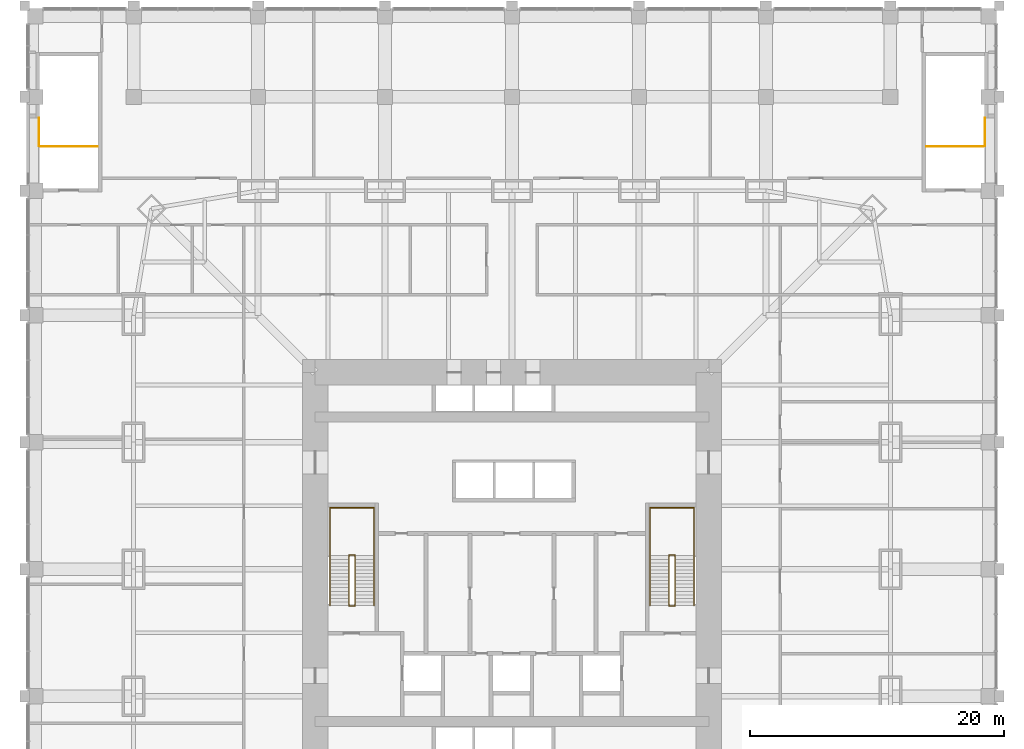
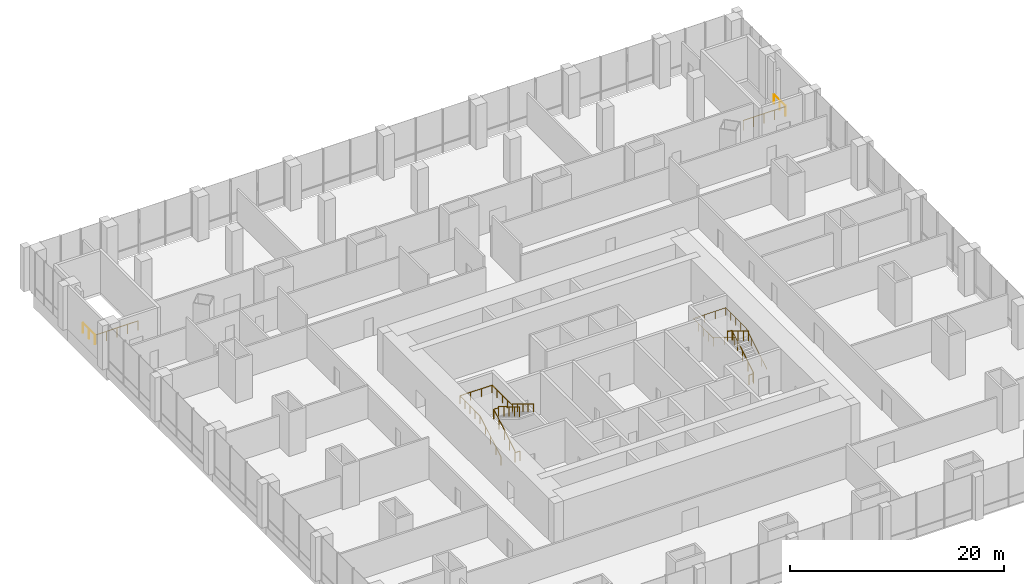
# One storey, part 22 of 22: 8 railings.
"""IFC4 building model written with IfcOpenShell, lengths in metres."""

from ifc_helpers import new_model, si_unit, direction, frame, origin, origin_2d, place, context, subcontext, project, spatial, circle, extrude, material, type_object, element, save


model = new_model("IFC4")

# Units and contexts
model_context = context("Model", 3, precision=1e-05, world=origin(), true_north=direction((0.0, 1.0)))
body_context = subcontext(model_context, "Body", "Model", "MODEL_VIEW")
ifc_project = project(units=[si_unit("LENGTHUNIT", "METRE"), si_unit("AREAUNIT", "SQUARE_METRE"), si_unit("VOLUMEUNIT", "CUBIC_METRE"), si_unit("PLANEANGLEUNIT", "RADIAN"), si_unit("MASSUNIT", "GRAM", prefix="KILO")], contexts=[model_context])

# Site, building, storey
site_placement = place(None, origin())
site = spatial("IfcSite", under=ifc_project, at=site_placement, CompositionType="ELEMENT")
building_placement = place(site_placement, origin())
building = spatial("IfcBuilding", under=site, at=building_placement, Name="Khuree Lantern Residences", CompositionType="ELEMENT")
storey_placement = place(building_placement, frame((0.0, 0.0, 16.0)))
storey = spatial("IfcBuildingStorey", under=building, at=storey_placement, Name="L03", CompositionType="ELEMENT", Elevation=16.0)

# Railings
ifc_material = material(Name="Steel S355", Category="steel")
railing_type_1 = type_object("IfcRailingType", Name="STAIR GUARD G1 1100", PredefinedType="GUARDRAIL", material=ifc_material)
railing_1_placement = place(storey_placement, frame((-12.35009765625, -2.909912109375, 0.0)))
element("IfcRailing", 1, at=railing_1_placement, inside=storey, type_object=railing_type_1, Name="Stair ST1 guard", PredefinedType="GUARDRAIL", context=body_context, shape_type="SweptSolid", body=[
    extrude(circle(Radius=0.02392578125, at=origin_2d()), frame((0.0, 0.0, 1.076171875), z_axis=(-1.0, 0.0, 0.0), x_axis=(0.0, -1.0, 0.0)), (0.0, 0.0, 1.0), 0.5),
    extrude(circle(Radius=0.02392578125, at=origin_2d()), frame((-0.5, 0.0, 1.076171875), z_axis=(0.0, 0.286189326841, 0.958173089375), x_axis=(-1.0, 0.0, 0.0)), (0.0, 0.0, 1.0), 0.174072265625),
    extrude(circle(Radius=0.02392578125, at=origin_2d()), frame((-0.5, 0.0498046875, 1.24267578125), z_axis=(0.0, 0.859310244771, 0.511454693235), x_axis=(-1.0, 0.0, 0.0)), (0.0, 0.0, 1.0), 4.56201171875),
    extrude(circle(Radius=0.02392578125, at=origin_2d()), frame((-0.5, 3.969970703125, 3.576171875), z_axis=(0.0, 1.0, 0.0), x_axis=(-1.0, 0.0, 0.0)), (0.0, 0.0, 1.0), 0.050048828125),
    extrude(circle(Radius=0.02392578125, at=origin_2d()), frame((-0.5, 4.02001953125, 3.576171875), z_axis=(1.0, 0.0, 0.0), x_axis=(0.0, 1.0, 0.0)), (0.0, 0.0, 1.0), 0.5),
    extrude(circle(Radius=0.02392578125, at=origin_2d()), frame((0.0, 4.02001953125, 3.576171875), z_axis=(0.0, -0.287476536604, 0.957787680492), x_axis=(1.0, 0.0, 0.0)), (0.0, 0.0, 1.0), 0.174072265625),
    extrude(circle(Radius=0.02392578125, at=origin_2d()), frame((0.0, 3.969970703125, 3.74267578125), z_axis=(0.0, -0.859310244771, 0.511454693235), x_axis=(1.0, 0.0, 0.0)), (0.0, 0.0, 1.0), 4.56201171875),
    extrude(circle(Radius=0.02099609375, at=origin_2d()), origin(), (0.0, 0.0, 1.0), 1.052001953125),
    extrude(circle(Radius=0.02099609375, at=origin_2d()), frame((-0.5, 0.0, 0.0)), (0.0, 0.0, 1.0), 1.052001953125),
    extrude(circle(Radius=0.02099609375, at=origin_2d()), frame((-0.5, 0.0498046875, 0.166748046875)), (0.0, 0.0, 1.0), 1.052001953125),
    extrude(circle(Radius=0.02099609375, at=origin_2d()), frame((-0.5, 1.02978515625, 0.75)), (0.0, 0.0, 1.0), 1.052001953125),
    extrude(circle(Radius=0.02099609375, at=origin_2d()), frame((-0.5, 2.009765625, 1.33349609375)), (0.0, 0.0, 1.0), 1.052001953125),
    extrude(circle(Radius=0.02099609375, at=origin_2d()), frame((-0.5, 2.989990234375, 1.916748046875)), (0.0, 0.0, 1.0), 1.052001953125),
    extrude(circle(Radius=0.02099609375, at=origin_2d()), frame((-0.5, 3.969970703125, 2.5)), (0.0, 0.0, 1.0), 1.052001953125),
    extrude(circle(Radius=0.02099609375, at=origin_2d()), frame((-0.5, 4.02001953125, 2.5)), (0.0, 0.0, 1.0), 1.052001953125),
    extrude(circle(Radius=0.02099609375, at=origin_2d()), frame((0.0, 4.02001953125, 2.5)), (0.0, 0.0, 1.0), 1.052001953125),
    extrude(circle(Radius=0.02099609375, at=origin_2d()), frame((0.0, 3.969970703125, 2.666748046875)), (0.0, 0.0, 1.0), 1.052001953125),
    extrude(circle(Radius=0.02099609375, at=origin_2d()), frame((0.0, 2.989990234375, 3.25)), (0.0, 0.0, 1.0), 1.052001953125),
    extrude(circle(Radius=0.02099609375, at=origin_2d()), frame((0.0, 2.009765625, 3.83349609375)), (0.0, 0.0, 1.0), 1.052001953125),
    extrude(circle(Radius=0.02099609375, at=origin_2d()), frame((0.0, 1.02978515625, 4.416748046875)), (0.0, 0.0, 1.0), 1.052001953125),
    extrude(circle(Radius=0.02099609375, at=origin_2d()), frame((0.0, 0.0498046875, 5.0)), (0.0, 0.0, 1.0), 1.052001953125),
])
railing_2_placement = place(storey_placement, frame((12.35009765625, -2.909912109375, 0.0)))
element("IfcRailing", 2, at=railing_2_placement, inside=storey, type_object=railing_type_1, Name="Stair ST2 guard", PredefinedType="GUARDRAIL", context=body_context, shape_type="SweptSolid", body=[
    extrude(circle(Radius=0.02392578125, at=origin_2d()), frame((0.0, 0.0, 1.076171875), z_axis=(1.0, 0.0, 0.0), x_axis=(0.0, 1.0, 0.0)), (0.0, 0.0, 1.0), 0.5),
    extrude(circle(Radius=0.02392578125, at=origin_2d()), frame((0.5, 0.0, 1.076171875), z_axis=(0.0, 0.286189326841, 0.958173089375), x_axis=(-1.0, 0.0, 0.0)), (0.0, 0.0, 1.0), 0.174072265625),
    extrude(circle(Radius=0.02392578125, at=origin_2d()), frame((0.5, 0.0498046875, 1.24267578125), z_axis=(0.0, 0.859310244771, 0.511454693235), x_axis=(-1.0, 0.0, 0.0)), (0.0, 0.0, 1.0), 4.56201171875),
    extrude(circle(Radius=0.02392578125, at=origin_2d()), frame((0.5, 3.969970703125, 3.576171875), z_axis=(0.0, 1.0, 0.0), x_axis=(-1.0, 0.0, 0.0)), (0.0, 0.0, 1.0), 0.050048828125),
    extrude(circle(Radius=0.02392578125, at=origin_2d()), frame((0.5, 4.02001953125, 3.576171875), z_axis=(-1.0, 0.0, 0.0), x_axis=(0.0, -1.0, 0.0)), (0.0, 0.0, 1.0), 0.5),
    extrude(circle(Radius=0.02392578125, at=origin_2d()), frame((0.0, 4.02001953125, 3.576171875), z_axis=(0.0, -0.287476536604, 0.957787680492), x_axis=(1.0, 0.0, 0.0)), (0.0, 0.0, 1.0), 0.174072265625),
    extrude(circle(Radius=0.02392578125, at=origin_2d()), frame((0.0, 3.969970703125, 3.74267578125), z_axis=(0.0, -0.859310244771, 0.511454693235), x_axis=(1.0, 0.0, 0.0)), (0.0, 0.0, 1.0), 4.56201171875),
    extrude(circle(Radius=0.02099609375, at=origin_2d()), origin(), (0.0, 0.0, 1.0), 1.052001953125),
    extrude(circle(Radius=0.02099609375, at=origin_2d()), frame((0.5, 0.0, 0.0)), (0.0, 0.0, 1.0), 1.052001953125),
    extrude(circle(Radius=0.02099609375, at=origin_2d()), frame((0.5, 0.0498046875, 0.166748046875)), (0.0, 0.0, 1.0), 1.052001953125),
    extrude(circle(Radius=0.02099609375, at=origin_2d()), frame((0.5, 1.02978515625, 0.75)), (0.0, 0.0, 1.0), 1.052001953125),
    extrude(circle(Radius=0.02099609375, at=origin_2d()), frame((0.5, 2.009765625, 1.33349609375)), (0.0, 0.0, 1.0), 1.052001953125),
    extrude(circle(Radius=0.02099609375, at=origin_2d()), frame((0.5, 2.989990234375, 1.916748046875)), (0.0, 0.0, 1.0), 1.052001953125),
    extrude(circle(Radius=0.02099609375, at=origin_2d()), frame((0.5, 3.969970703125, 2.5)), (0.0, 0.0, 1.0), 1.052001953125),
    extrude(circle(Radius=0.02099609375, at=origin_2d()), frame((0.5, 4.02001953125, 2.5)), (0.0, 0.0, 1.0), 1.052001953125),
    extrude(circle(Radius=0.02099609375, at=origin_2d()), frame((0.0, 4.02001953125, 2.5)), (0.0, 0.0, 1.0), 1.052001953125),
    extrude(circle(Radius=0.02099609375, at=origin_2d()), frame((0.0, 3.969970703125, 2.666748046875)), (0.0, 0.0, 1.0), 1.052001953125),
    extrude(circle(Radius=0.02099609375, at=origin_2d()), frame((0.0, 2.989990234375, 3.25)), (0.0, 0.0, 1.0), 1.052001953125),
    extrude(circle(Radius=0.02099609375, at=origin_2d()), frame((0.0, 2.009765625, 3.83349609375)), (0.0, 0.0, 1.0), 1.052001953125),
    extrude(circle(Radius=0.02099609375, at=origin_2d()), frame((0.0, 1.02978515625, 4.416748046875)), (0.0, 0.0, 1.0), 1.052001953125),
    extrude(circle(Radius=0.02099609375, at=origin_2d()), frame((0.0, 0.0498046875, 5.0)), (0.0, 0.0, 1.0), 1.052001953125),
])
railing_3_placement = place(storey_placement, frame((-37.14990234375, 33.2900390625, 0.0)))
element("IfcRailing", 3, at=railing_3_placement, inside=storey, type_object=railing_type_1, Name="Stair ST3 top guard", PredefinedType="GUARDRAIL", context=body_context, shape_type="SweptSolid", body=[
    extrude(circle(Radius=0.02392578125, at=origin_2d()), frame((0.0, 0.0, 1.076171875), z_axis=(1.0, 0.0, 0.0), x_axis=(0.0, 1.0, 0.0)), (0.0, 0.0, 1.0), 4.5),
    extrude(circle(Radius=0.02099609375, at=origin_2d()), origin(), (0.0, 0.0, 1.0), 1.052001953125),
    extrude(circle(Radius=0.02099609375, at=origin_2d()), frame((1.125, 0.0, 0.0)), (0.0, 0.0, 1.0), 1.052001953125),
    extrude(circle(Radius=0.02099609375, at=origin_2d()), frame((2.25, 0.0, 0.0)), (0.0, 0.0, 1.0), 1.052001953125),
    extrude(circle(Radius=0.02099609375, at=origin_2d()), frame((3.375, 0.0, 0.0)), (0.0, 0.0, 1.0), 1.052001953125),
    extrude(circle(Radius=0.02099609375, at=origin_2d()), frame((4.5, 0.0, 0.0)), (0.0, 0.0, 1.0), 1.052001953125),
])
railing_4_placement = place(storey_placement, frame((-37.25, 33.340087890625, 0.0)))
element("IfcRailing", 4, at=railing_4_placement, inside=storey, type_object=railing_type_1, Name="Stair ST3 floor edge guard", PredefinedType="GUARDRAIL", context=body_context, shape_type="SweptSolid", body=[
    extrude(circle(Radius=0.02392578125, at=origin_2d()), frame((0.0, 0.0, 1.076171875), z_axis=(0.0, 1.0, 0.0), x_axis=(-1.0, 0.0, 0.0)), (0.0, 0.0, 1.0), 2.19580078125),
    extrude(circle(Radius=0.02099609375, at=origin_2d()), origin(), (0.0, 0.0, 1.0), 1.052001953125),
    extrude(circle(Radius=0.02099609375, at=origin_2d()), frame((0.0, 1.097900390625, 0.0)), (0.0, 0.0, 1.0), 1.052001953125),
    extrude(circle(Radius=0.02099609375, at=origin_2d()), frame((0.0, 2.19580078125, 0.0)), (0.0, 0.0, 1.0), 1.052001953125),
])
railing_5_placement = place(storey_placement, frame((32.64990234375, 33.2900390625, 0.0)))
element("IfcRailing", 5, at=railing_5_placement, inside=storey, type_object=railing_type_1, Name="Stair ST4 top guard", PredefinedType="GUARDRAIL", context=body_context, shape_type="SweptSolid", body=[
    extrude(circle(Radius=0.02392578125, at=origin_2d()), frame((0.0, 0.0, 1.076171875), z_axis=(1.0, 0.0, 0.0), x_axis=(0.0, 1.0, 0.0)), (0.0, 0.0, 1.0), 4.5),
    extrude(circle(Radius=0.02099609375, at=origin_2d()), origin(), (0.0, 0.0, 1.0), 1.052001953125),
    extrude(circle(Radius=0.02099609375, at=origin_2d()), frame((1.125, 0.0, 0.0)), (0.0, 0.0, 1.0), 1.052001953125),
    extrude(circle(Radius=0.02099609375, at=origin_2d()), frame((2.25, 0.0, 0.0)), (0.0, 0.0, 1.0), 1.052001953125),
    extrude(circle(Radius=0.02099609375, at=origin_2d()), frame((3.375, 0.0, 0.0)), (0.0, 0.0, 1.0), 1.052001953125),
    extrude(circle(Radius=0.02099609375, at=origin_2d()), frame((4.5, 0.0, 0.0)), (0.0, 0.0, 1.0), 1.052001953125),
])
railing_6_placement = place(storey_placement, frame((37.25, 33.340087890625, 0.0)))
element("IfcRailing", 6, at=railing_6_placement, inside=storey, type_object=railing_type_1, Name="Stair ST4 floor edge guard", PredefinedType="GUARDRAIL", context=body_context, shape_type="SweptSolid", body=[
    extrude(circle(Radius=0.02392578125, at=origin_2d()), frame((0.0, 0.0, 1.076171875), z_axis=(0.0, 1.0, 0.0), x_axis=(-1.0, 0.0, 0.0)), (0.0, 0.0, 1.0), 2.19580078125),
    extrude(circle(Radius=0.02099609375, at=origin_2d()), origin(), (0.0, 0.0, 1.0), 1.052001953125),
    extrude(circle(Radius=0.02099609375, at=origin_2d()), frame((0.0, 1.097900390625, 0.0)), (0.0, 0.0, 1.0), 1.052001953125),
    extrude(circle(Radius=0.02099609375, at=origin_2d()), frame((0.0, 2.19580078125, 0.0)), (0.0, 0.0, 1.0), 1.052001953125),
])
railing_type_2 = type_object("IfcRailingType", Name="STAIR HANDRAIL H1 900", PredefinedType="HANDRAIL", material=ifc_material)
railing_7_placement = place(storey_placement, frame((-14.340087890625, -2.860107421875, 0.166748046875)))
element("IfcRailing", 7, at=railing_7_placement, inside=storey, type_object=railing_type_2, Name="Stair ST1 handrail", PredefinedType="HANDRAIL", context=body_context, shape_type="SweptSolid", body=[
    extrude(circle(Radius=0.02392578125, at=origin_2d()), frame((0.0, 0.0, 0.8759765625), z_axis=(0.0, 0.859310244771, 0.511454693235), x_axis=(-1.0, 0.0, 0.0)), (0.0, 0.0, 1.0), 4.56201171875),
    extrude(circle(Radius=0.02392578125, at=origin_2d()), frame((0.0, 3.920166015625, 3.208984375), z_axis=(0.0, 1.0, 0.0), x_axis=(-1.0, 0.0, 0.0)), (0.0, 0.0, 1.0), 3.780029296875),
    extrude(circle(Radius=0.02392578125, at=origin_2d()), frame((0.0, 7.7001953125, 3.208984375), z_axis=(1.0, 0.0, 0.0), x_axis=(0.0, 1.0, 0.0)), (0.0, 0.0, 1.0), 3.47998046875),
    extrude(circle(Radius=0.02392578125, at=origin_2d()), frame((3.47998046875, 7.7001953125, 3.208984375), z_axis=(0.0, -1.0, 0.0), x_axis=(1.0, 0.0, 0.0)), (0.0, 0.0, 1.0), 3.780029296875),
    extrude(circle(Radius=0.02392578125, at=origin_2d()), frame((3.47998046875, 3.920166015625, 3.208984375), z_axis=(0.0, 0.0, 1.0), x_axis=(1.0, 0.0, 0.0)), (0.0, 0.0, 1.0), 0.166748046875),
    extrude(circle(Radius=0.02392578125, at=origin_2d()), frame((3.47998046875, 3.920166015625, 3.3759765625), z_axis=(0.0, -0.859310244771, 0.511454693235), x_axis=(1.0, 0.0, 0.0)), (0.0, 0.0, 1.0), 4.56201171875),
    extrude(circle(Radius=0.02099609375, at=origin_2d()), origin(), (0.0, 0.0, 1.0), 0.851806640625),
    extrude(circle(Radius=0.02099609375, at=origin_2d()), frame((0.0, 0.97998046875, 0.583251953125)), (0.0, 0.0, 1.0), 0.851806640625),
    extrude(circle(Radius=0.02099609375, at=origin_2d()), frame((0.0, 1.9599609375, 1.16650390625)), (0.0, 0.0, 1.0), 0.851806640625),
    extrude(circle(Radius=0.02099609375, at=origin_2d()), frame((0.0, 2.940185546875, 1.75)), (0.0, 0.0, 1.0), 0.851806640625),
    extrude(circle(Radius=0.02099609375, at=origin_2d()), frame((0.0, 3.920166015625, 2.333251953125)), (0.0, 0.0, 1.0), 0.851806640625),
    extrude(circle(Radius=0.02099609375, at=origin_2d()), frame((0.0, 4.865234375, 2.333251953125)), (0.0, 0.0, 1.0), 0.851806640625),
    extrude(circle(Radius=0.02099609375, at=origin_2d()), frame((0.0, 5.81005859375, 2.333251953125)), (0.0, 0.0, 1.0), 0.851806640625),
    extrude(circle(Radius=0.02099609375, at=origin_2d()), frame((0.0, 6.755126953125, 2.333251953125)), (0.0, 0.0, 1.0), 0.851806640625),
    extrude(circle(Radius=0.02099609375, at=origin_2d()), frame((0.0, 7.7001953125, 2.333251953125)), (0.0, 0.0, 1.0), 0.851806640625),
    extrude(circle(Radius=0.02099609375, at=origin_2d()), frame((1.159912109375, 7.7001953125, 2.333251953125)), (0.0, 0.0, 1.0), 0.851806640625),
    extrude(circle(Radius=0.02099609375, at=origin_2d()), frame((2.320068359375, 7.7001953125, 2.333251953125)), (0.0, 0.0, 1.0), 0.851806640625),
    extrude(circle(Radius=0.02099609375, at=origin_2d()), frame((3.47998046875, 7.7001953125, 2.333251953125)), (0.0, 0.0, 1.0), 0.851806640625),
    extrude(circle(Radius=0.02099609375, at=origin_2d()), frame((3.47998046875, 6.755126953125, 2.333251953125)), (0.0, 0.0, 1.0), 0.851806640625),
    extrude(circle(Radius=0.02099609375, at=origin_2d()), frame((3.47998046875, 5.81005859375, 2.333251953125)), (0.0, 0.0, 1.0), 0.851806640625),
    extrude(circle(Radius=0.02099609375, at=origin_2d()), frame((3.47998046875, 4.865234375, 2.333251953125)), (0.0, 0.0, 1.0), 0.851806640625),
    extrude(circle(Radius=0.02099609375, at=origin_2d()), frame((3.47998046875, 3.920166015625, 2.333251953125)), (0.0, 0.0, 1.0), 0.851806640625),
    extrude(circle(Radius=0.02099609375, at=origin_2d()), frame((3.47998046875, 3.920166015625, 2.5)), (0.0, 0.0, 1.0), 0.851806640625),
    extrude(circle(Radius=0.02099609375, at=origin_2d()), frame((3.47998046875, 2.940185546875, 3.083251953125)), (0.0, 0.0, 1.0), 0.851806640625),
    extrude(circle(Radius=0.02099609375, at=origin_2d()), frame((3.47998046875, 1.9599609375, 3.66650390625)), (0.0, 0.0, 1.0), 0.851806640625),
    extrude(circle(Radius=0.02099609375, at=origin_2d()), frame((3.47998046875, 0.97998046875, 4.25)), (0.0, 0.0, 1.0), 0.851806640625),
    extrude(circle(Radius=0.02099609375, at=origin_2d()), frame((3.47998046875, 0.0, 4.833251953125)), (0.0, 0.0, 1.0), 0.851806640625),
])
railing_8_placement = place(storey_placement, frame((14.340087890625, -2.860107421875, 0.166748046875)))
element("IfcRailing", 8, at=railing_8_placement, inside=storey, type_object=railing_type_2, Name="Stair ST2 handrail", PredefinedType="HANDRAIL", context=body_context, shape_type="SweptSolid", body=[
    extrude(circle(Radius=0.02392578125, at=origin_2d()), frame((0.0, 0.0, 0.8759765625), z_axis=(0.0, 0.859310244771, 0.511454693235), x_axis=(-1.0, 0.0, 0.0)), (0.0, 0.0, 1.0), 4.56201171875),
    extrude(circle(Radius=0.02392578125, at=origin_2d()), frame((0.0, 3.920166015625, 3.208984375), z_axis=(0.0, 1.0, 0.0), x_axis=(-1.0, 0.0, 0.0)), (0.0, 0.0, 1.0), 3.780029296875),
    extrude(circle(Radius=0.02392578125, at=origin_2d()), frame((0.0, 7.7001953125, 3.208984375), z_axis=(-1.0, 0.0, 0.0), x_axis=(0.0, -1.0, 0.0)), (0.0, 0.0, 1.0), 3.47998046875),
    extrude(circle(Radius=0.02392578125, at=origin_2d()), frame((-3.47998046875, 7.7001953125, 3.208984375), z_axis=(0.0, -1.0, 0.0), x_axis=(1.0, 0.0, 0.0)), (0.0, 0.0, 1.0), 3.780029296875),
    extrude(circle(Radius=0.02392578125, at=origin_2d()), frame((-3.47998046875, 3.920166015625, 3.208984375), z_axis=(0.0, 0.0, 1.0), x_axis=(1.0, 0.0, 0.0)), (0.0, 0.0, 1.0), 0.166748046875),
    extrude(circle(Radius=0.02392578125, at=origin_2d()), frame((-3.47998046875, 3.920166015625, 3.3759765625), z_axis=(0.0, -0.859310244771, 0.511454693235), x_axis=(1.0, 0.0, 0.0)), (0.0, 0.0, 1.0), 4.56201171875),
    extrude(circle(Radius=0.02099609375, at=origin_2d()), origin(), (0.0, 0.0, 1.0), 0.851806640625),
    extrude(circle(Radius=0.02099609375, at=origin_2d()), frame((0.0, 0.97998046875, 0.583251953125)), (0.0, 0.0, 1.0), 0.851806640625),
    extrude(circle(Radius=0.02099609375, at=origin_2d()), frame((0.0, 1.9599609375, 1.16650390625)), (0.0, 0.0, 1.0), 0.851806640625),
    extrude(circle(Radius=0.02099609375, at=origin_2d()), frame((0.0, 2.940185546875, 1.75)), (0.0, 0.0, 1.0), 0.851806640625),
    extrude(circle(Radius=0.02099609375, at=origin_2d()), frame((0.0, 3.920166015625, 2.333251953125)), (0.0, 0.0, 1.0), 0.851806640625),
    extrude(circle(Radius=0.02099609375, at=origin_2d()), frame((0.0, 4.865234375, 2.333251953125)), (0.0, 0.0, 1.0), 0.851806640625),
    extrude(circle(Radius=0.02099609375, at=origin_2d()), frame((0.0, 5.81005859375, 2.333251953125)), (0.0, 0.0, 1.0), 0.851806640625),
    extrude(circle(Radius=0.02099609375, at=origin_2d()), frame((0.0, 6.755126953125, 2.333251953125)), (0.0, 0.0, 1.0), 0.851806640625),
    extrude(circle(Radius=0.02099609375, at=origin_2d()), frame((0.0, 7.7001953125, 2.333251953125)), (0.0, 0.0, 1.0), 0.851806640625),
    extrude(circle(Radius=0.02099609375, at=origin_2d()), frame((-1.159912109375, 7.7001953125, 2.333251953125)), (0.0, 0.0, 1.0), 0.851806640625),
    extrude(circle(Radius=0.02099609375, at=origin_2d()), frame((-2.320068359375, 7.7001953125, 2.333251953125)), (0.0, 0.0, 1.0), 0.851806640625),
    extrude(circle(Radius=0.02099609375, at=origin_2d()), frame((-3.47998046875, 7.7001953125, 2.333251953125)), (0.0, 0.0, 1.0), 0.851806640625),
    extrude(circle(Radius=0.02099609375, at=origin_2d()), frame((-3.47998046875, 6.755126953125, 2.333251953125)), (0.0, 0.0, 1.0), 0.851806640625),
    extrude(circle(Radius=0.02099609375, at=origin_2d()), frame((-3.47998046875, 5.81005859375, 2.333251953125)), (0.0, 0.0, 1.0), 0.851806640625),
    extrude(circle(Radius=0.02099609375, at=origin_2d()), frame((-3.47998046875, 4.865234375, 2.333251953125)), (0.0, 0.0, 1.0), 0.851806640625),
    extrude(circle(Radius=0.02099609375, at=origin_2d()), frame((-3.47998046875, 3.920166015625, 2.333251953125)), (0.0, 0.0, 1.0), 0.851806640625),
    extrude(circle(Radius=0.02099609375, at=origin_2d()), frame((-3.47998046875, 3.920166015625, 2.5)), (0.0, 0.0, 1.0), 0.851806640625),
    extrude(circle(Radius=0.02099609375, at=origin_2d()), frame((-3.47998046875, 2.940185546875, 3.083251953125)), (0.0, 0.0, 1.0), 0.851806640625),
    extrude(circle(Radius=0.02099609375, at=origin_2d()), frame((-3.47998046875, 1.9599609375, 3.66650390625)), (0.0, 0.0, 1.0), 0.851806640625),
    extrude(circle(Radius=0.02099609375, at=origin_2d()), frame((-3.47998046875, 0.97998046875, 4.25)), (0.0, 0.0, 1.0), 0.851806640625),
    extrude(circle(Radius=0.02099609375, at=origin_2d()), frame((-3.47998046875, 0.0, 4.833251953125)), (0.0, 0.0, 1.0), 0.851806640625),
])

save(model, "model.ifc")
